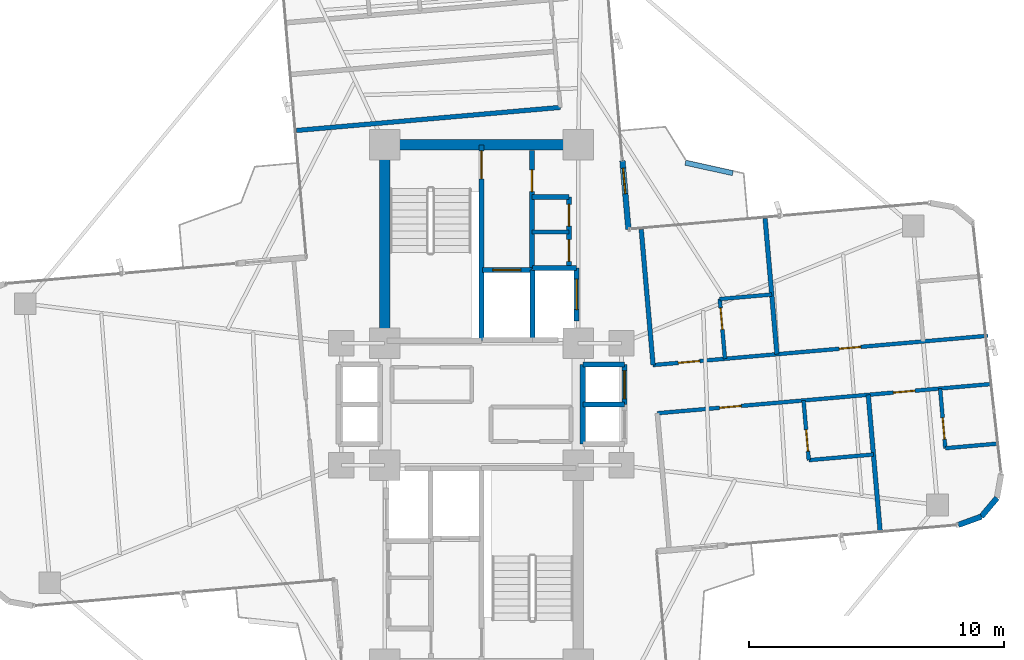
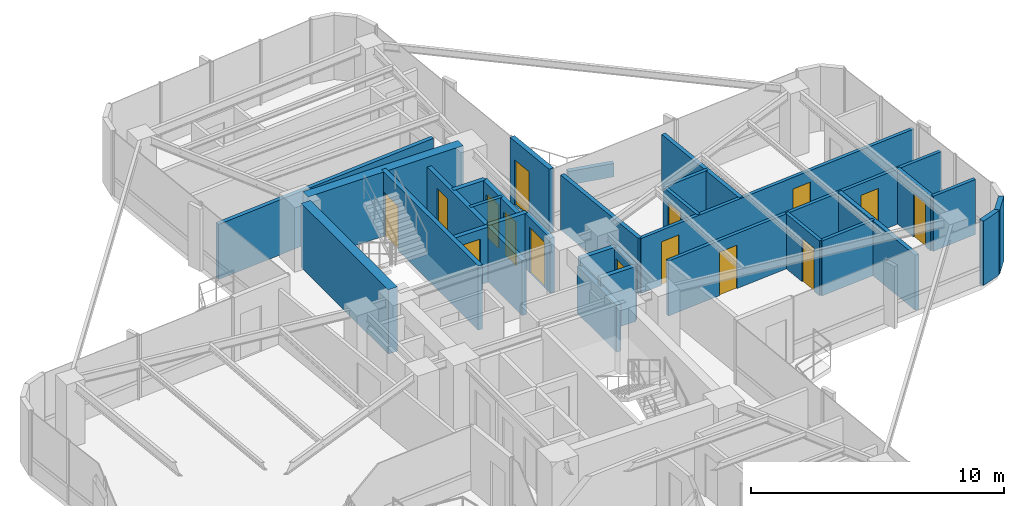
# One storey, part 22 of 24: 31 walls, 15 doors, 15 openings.
"""IFC4 building model written with IfcOpenShell, lengths in metres."""

from ifc_helpers import new_model, si_unit, direction, frame, frame_2d, origin, origin_2d, place, context, subcontext, project, spatial, rectangle, extrude, source, transform, mapped, material, layer, layer_set, type_object, element, fill, save


model = new_model("IFC4")

# Units and contexts
model_context = context("Model", 3, precision=1e-05, world=origin(), true_north=direction((0.0, 1.0)))
body_context = subcontext(model_context, "Body", "Model", "MODEL_VIEW")
ifc_project = project(units=[si_unit("LENGTHUNIT", "METRE"), si_unit("AREAUNIT", "SQUARE_METRE"), si_unit("VOLUMEUNIT", "CUBIC_METRE"), si_unit("PLANEANGLEUNIT", "RADIAN"), si_unit("MASSUNIT", "GRAM", prefix="KILO")], contexts=[model_context])

# Site, building, storey
site_placement = place(None, origin())
site = spatial("IfcSite", under=ifc_project, at=site_placement, CompositionType="ELEMENT")
building_placement = place(site_placement, origin())
building = spatial("IfcBuilding", under=site, at=building_placement, Name="Sahyath Konkavel Grand Hotel", CompositionType="ELEMENT")
storey_placement = place(building_placement, frame((0.0, 0.0, 164.0)))
storey = spatial("IfcBuildingStorey", under=building, at=storey_placement, Name="L45", CompositionType="ELEMENT", Elevation=164.0)

# Walls
ifc_material_1 = material(Name="Concrete C50/60", Category="concrete")
ifc_layer_1 = layer(ifc_material_1, 0.419921875)
ifc_layer_set_1 = layer_set([ifc_layer_1], Name="Concrete C50/60")
wall_type_1 = type_object("IfcWallType", Name="CWALL-420", PredefinedType="SHEAR", material=ifc_layer_set_1)
wall_1_placement = place(storey_placement, frame((-3.550048828125, 10.199951171875, 0.0), z_axis=(0.0, 0.0, 1.0), x_axis=(1.0, 0.0, 0.0)))
element("IfcWall", 1, at=wall_1_placement, inside=storey, type_object=wall_type_1, Name="L45 North Core Shear Wall N", PredefinedType="SHEAR", context=body_context, shape_type="SweptSolid", body=[
    extrude(rectangle(XDim=7.10009765625, YDim=0.419921875, at=frame_2d((3.550048828125, 0.0))), origin(), (0.0, 0.0, 1.0), 3.110107421875),
])
wall_2_placement = place(storey_placement, frame((-3.800048828125, 2.85009765625, 0.0), z_axis=(0.0, 0.0, 1.0), x_axis=(0.0, 1.0, 0.0)))
element("IfcWall", 2, at=wall_2_placement, inside=storey, type_object=wall_type_1, Name="L45 North Core Shear Wall W", PredefinedType="SHEAR", context=body_context, shape_type="SweptSolid", body=[
    extrude(rectangle(XDim=6.89990234375, YDim=0.419921875, at=frame_2d((3.449951171875, 0.0))), origin(), (0.0, 0.0, 1.0), 3.110107421875),
])
ifc_material_2 = material(Name="Warm Buff Sandstone Insulated Concrete C40/50", Category="masonry")
ifc_layer_2 = layer(ifc_material_2, 0.219970703125)
ifc_layer_set_2 = layer_set([ifc_layer_2], Name="Warm Buff Sandstone Insulated Concrete C40/50")
wall_type_2 = type_object("IfcWallType", Name="WLL-BALC-THRESH", PredefinedType="STANDARD", material=ifc_layer_set_2)
wall_3_placement = place(storey_placement, frame((18.73388671875, -4.735107421875, 0.0), z_axis=(0.0, 0.0, 1.0), x_axis=(0.939741306239, 0.34188635151, 0.0)))
element("IfcWall", 3, at=wall_3_placement, inside=storey, type_object=wall_type_2, Name="L45 Rounded Corner Sandstone Pier 1", PredefinedType="STANDARD", context=body_context, shape_type="SweptSolid", body=[
    extrude(rectangle(XDim=0.95751953125, YDim=0.219970703125, at=frame_2d((0.478759765625, 0.0))), origin(), (0.0, 0.0, 1.0), 3.110107421875),
])
wall_4_placement = place(storey_placement, frame((19.6337890625, -4.40771484375, 0.0), z_axis=(0.0, 0.0, 1.0), x_axis=(0.642863236823, 0.765980978054, 0.0)))
element("IfcWall", 4, at=wall_4_placement, inside=storey, type_object=wall_type_2, Name="L45 Rounded Corner Sandstone Pier 2", PredefinedType="STANDARD", context=body_context, shape_type="SweptSolid", body=[
    extrude(rectangle(XDim=0.957763671875, YDim=0.219970703125, at=frame_2d((0.47900390625, 0.0))), origin(), (0.0, 0.0, 1.0), 3.110107421875),
])

# Wall, opening, door
wall_5_placement = place(storey_placement, frame((5.7724609375, 6.87939453125, 0.0), z_axis=(0.0, 0.0, 1.0), x_axis=(-0.087168071984, 0.996193619346, 0.0)))
wall_5 = element("IfcWall", 5, at=wall_5_placement, inside=storey, type_object=wall_type_2, Name="L45 Winter-Garden Threshold Wall 8", PredefinedType="STANDARD", context=body_context, shape_type="SweptSolid", body=[
    extrude(rectangle(XDim=2.699951171875, YDim=0.219970703125, at=frame_2d((1.35009765625, 0.0))), origin(), (0.0, 0.0, 1.0), 3.110107421875),
])
opening_1_placement = place(wall_5_placement, frame((1.39990234375, 0.0, 0.0)))
opening_1 = element("IfcOpeningElement", 6, at=opening_1_placement, cuts=wall_5, Name="Opening D-TR1", PredefinedType="OPENING", context=body_context, shape_type="SweptSolid", body=[
    extrude(rectangle(XDim=1.0, YDim=2.199951171875, at=frame_2d((0.5, 1.10009765625))), frame((0.0, 0.1201171875, 0.0), z_axis=(0.0, -1.0, 0.0), x_axis=(1.0, 0.0, 0.0)), (0.0, 0.0, 1.0), 0.239990234375),
])
ifc_material_3 = material(Name="Anodised Bronze Aluminium & Low-E Glazing", Category="aluminium")
door_type_1 = type_object("IfcDoorType", Name="DR-TERRACE-1000", OperationType="NOTDEFINED", PredefinedType="DOOR", material=ifc_material_3)
shared_shape_1 = source(origin(), body_context, "Body", "SweptSolid", [
    extrude(rectangle(XDim=1.0, YDim=0.050048828125, at=origin_2d()), origin(), (0.0, 0.0, 1.0), 2.199951171875),
])
door_1_placement = place(opening_1_placement, frame((0.5, 0.0, 0.0)))
door_1 = element("IfcDoor", 7, at=door_1_placement, inside=storey, type_object=door_type_1, Name="L45 Winter-Garden Terrace Door 8", OperationType="SINGLE_SWING_LEFT", OverallHeight=2.199951171875, OverallWidth=1.0, PredefinedType="DOOR", context=body_context, shape_type="MappedRepresentation", body=[
    mapped(shared_shape_1, transform((0.0, 0.0, 0.0), scale=1.0)),
])
fill(opening_1, door_1)

ifc_material_4 = material(Name="Concrete C40/50", Category="concrete")
ifc_layer_3 = layer(ifc_material_4, 0.199951171875)
ifc_layer_set_3 = layer_set([ifc_layer_3], Name="Concrete C40/50")
wall_type_3 = type_object("IfcWallType", Name="WLL-CORE-200", PredefinedType="SOLIDWALL", material=ifc_layer_set_3)
wall_6_placement = place(storey_placement, frame((0.0, 2.5, 0.0), z_axis=(0.0, 0.0, 1.0), x_axis=(0.0, 1.0, 0.0)))
wall_6 = element("IfcWall", 8, at=wall_6_placement, inside=storey, type_object=wall_type_3, Name="L45 Stair ST-1 Shaft Wall E", PredefinedType="SOLIDWALL", context=body_context, shape_type="SweptSolid", body=[
    extrude(rectangle(XDim=7.679931640625, YDim=0.199951171875, at=frame_2d((3.83984375, 0.0))), origin(), (0.0, 0.0, 1.0), 3.110107421875),
])
opening_2_placement = place(wall_6_placement, frame((6.360107421875, 0.0, 0.0)))
opening_2 = element("IfcOpeningElement", 9, at=opening_2_placement, cuts=wall_6, Name="Opening D-F12B", PredefinedType="OPENING", context=body_context, shape_type="SweptSolid", body=[
    extrude(rectangle(XDim=1.10009765625, YDim=2.14990234375, at=frame_2d((0.550048828125, 1.074951171875))), frame((0.0, 0.10986328125, 0.0), z_axis=(0.0, -1.0, 0.0), x_axis=(1.0, 0.0, 0.0)), (0.0, 0.0, 1.0), 0.219970703125),
])
ifc_material_5 = material(Name="Steel E350 Smokeproof Fire Door", Category="steel")
door_type_2 = type_object("IfcDoorType", Name="DR-FD120-1100", OperationType="NOTDEFINED", PredefinedType="DOOR", material=ifc_material_5)
shared_shape_2 = source(origin(), body_context, "Body", "SweptSolid", [
    extrude(rectangle(XDim=1.10009765625, YDim=0.050048828125, at=origin_2d()), origin(), (0.0, 0.0, 1.0), 2.14990234375),
])
door_2_placement = place(opening_2_placement, frame((0.550048828125, 0.0, 0.0)))
door_2 = element("IfcDoor", 10, at=door_2_placement, inside=storey, type_object=door_type_2, Name="L45 Stair ST-1 Fire Door", OperationType="SINGLE_SWING_LEFT", OverallHeight=2.14990234375, OverallWidth=1.10009765625, PredefinedType="DOOR", context=body_context, shape_type="MappedRepresentation", body=[
    mapped(shared_shape_2, transform((0.0, 0.0, 0.0), scale=1.0)),
])
fill(opening_2, door_2)

wall_7_placement = place(storey_placement, frame((1.97998046875, 5.320068359375, 0.0), z_axis=(0.0, 0.0, 1.0), x_axis=(0.0, 1.0, 0.0)))
wall_7 = element("IfcWall", 11, at=wall_7_placement, inside=storey, type_object=wall_type_3, Name="L45 North Firefighting Lobby Wall E", PredefinedType="SOLIDWALL", context=body_context, shape_type="SweptSolid", body=[
    extrude(rectangle(XDim=4.659912109375, YDim=0.199951171875, at=frame_2d((2.330078125, 0.0))), origin(), (0.0, 0.0, 1.0), 2.659912109375),
])
opening_3_placement = place(wall_7_placement, frame((3.0400390625, 0.0, 0.0)))
opening_3 = element("IfcOpeningElement", 12, at=opening_3_placement, cuts=wall_7, Name="Opening D-F12D", PredefinedType="OPENING", context=body_context, shape_type="SweptSolid", body=[
    extrude(rectangle(XDim=0.85009765625, YDim=2.10009765625, at=frame_2d((0.425048828125, 1.050048828125))), frame((0.0, 0.10986328125, 0.0), z_axis=(0.0, -1.0, 0.0), x_axis=(1.0, 0.0, 0.0)), (0.0, 0.0, 1.0), 0.219970703125),
])
ifc_material_6 = material(Name="Steel E350 Core Fire Door", Category="steel")
door_type_3 = type_object("IfcDoorType", Name="DR-FD120-850", OperationType="NOTDEFINED", PredefinedType="DOOR", material=ifc_material_6)
shared_shape_3 = source(origin(), body_context, "Body", "SweptSolid", [
    extrude(rectangle(XDim=0.85009765625, YDim=0.050048828125, at=origin_2d()), origin(), (0.0, 0.0, 1.0), 2.10009765625),
])
door_3_placement = place(opening_3_placement, frame((0.425048828125, 0.0, 0.0)))
door_3 = element("IfcDoor", 13, at=door_3_placement, inside=storey, type_object=door_type_3, Name="L45 North Firefighting Lobby Door", OperationType="SINGLE_SWING_LEFT", OverallHeight=2.10009765625, OverallWidth=0.85009765625, PredefinedType="DOOR", context=body_context, shape_type="MappedRepresentation", body=[
    mapped(shared_shape_3, transform((0.0, 0.0, 0.0), scale=1.0)),
])
fill(opening_3, door_3)

# Wall
wall_8_placement = place(storey_placement, frame((2.0, 2.5, 0.0), z_axis=(0.0, 0.0, 1.0), x_axis=(0.0, 1.0, 0.0)))
element("IfcWall", 14, at=wall_8_placement, inside=storey, type_object=wall_type_3, Name="L45 Partition SH-FFL1-E", PredefinedType="SOLIDWALL", context=body_context, shape_type="SweptSolid", body=[
    extrude(rectangle(XDim=2.780029296875, YDim=0.199951171875, at=frame_2d((1.39013671875, 0.0))), origin(), (0.0, 0.0, 1.0), 2.659912109375),
])

# Wall, opening, door
wall_9_placement = place(storey_placement, frame((0.050048828125, 5.280029296875, 0.0), z_axis=(0.0, 0.0, 1.0), x_axis=(1.0, 0.0, 0.0)))
wall_9 = element("IfcWall", 15, at=wall_9_placement, inside=storey, type_object=wall_type_3, Name="L45 Partition SH-FFL1-N", PredefinedType="SOLIDWALL", context=body_context, shape_type="SweptSolid", body=[
    extrude(rectangle(XDim=1.929931640625, YDim=0.199951171875, at=frame_2d((0.96484375, 0.0))), origin(), (0.0, 0.0, 1.0), 2.659912109375),
])
opening_4_placement = place(wall_9_placement, frame((0.39990234375, 0.0, 0.0)))
opening_4 = element("IfcOpeningElement", 16, at=opening_4_placement, cuts=wall_9, Name="Opening LD-11", PredefinedType="OPENING", context=body_context, shape_type="SweptSolid", body=[
    extrude(rectangle(XDim=1.10009765625, YDim=2.199951171875, at=frame_2d((0.550048828125, 1.10009765625))), frame((0.0, 0.10986328125, 0.0), z_axis=(0.0, -1.0, 0.0), x_axis=(1.0, 0.0, 0.0)), (0.0, 0.0, 1.0), 0.219970703125),
])
ifc_material_7 = material(Name="Bronze Lift Landing Door 1100")
door_type_4 = type_object("IfcDoorType", Name="DR-LIFT-1100", OperationType="DOUBLE_DOOR_SLIDING", PredefinedType="DOOR", material=ifc_material_7)
shared_shape_4 = source(origin(), body_context, "Body", "SweptSolid", [
    extrude(rectangle(XDim=1.10009765625, YDim=0.050048828125, at=origin_2d()), origin(), (0.0, 0.0, 1.0), 2.199951171875),
])
door_4_placement = place(opening_4_placement, frame((0.550048828125, 0.0, 0.0)))
door_4 = element("IfcDoor", 17, at=door_4_placement, inside=storey, type_object=door_type_4, Name="L45 Lift FFL-1 Landing Door", OperationType="DOUBLE_DOOR_SLIDING", OverallHeight=2.199951171875, OverallWidth=1.10009765625, PredefinedType="DOOR", context=body_context, shape_type="MappedRepresentation", body=[
    mapped(shared_shape_4, transform((0.0, 0.0, 0.0), scale=1.0)),
])
fill(opening_4, door_4)

# Wall
wall_10_placement = place(storey_placement, frame((2.0, 5.360107421875, 0.0), z_axis=(0.0, 0.0, 1.0), x_axis=(1.0, 0.0, 0.0)))
element("IfcWall", 18, at=wall_10_placement, inside=storey, type_object=wall_type_3, Name="L45 Partition SH-SVL1-N", PredefinedType="SOLIDWALL", context=body_context, shape_type="SweptSolid", body=[
    extrude(rectangle(XDim=1.739990234375, YDim=0.199951171875, at=frame_2d((0.8701171875, 0.0))), origin(), (0.0, 0.0, 1.0), 2.659912109375),
])

# Wall, opening, door
wall_11_placement = place(storey_placement, frame((3.739990234375, 3.280029296875, 0.0), z_axis=(0.0, 0.0, 1.0), x_axis=(0.0, 1.0, 0.0)))
wall_11 = element("IfcWall", 19, at=wall_11_placement, inside=storey, type_object=wall_type_3, Name="L45 Partition SH-SVL1-E", PredefinedType="SOLIDWALL", context=body_context, shape_type="SweptSolid", body=[
    extrude(rectangle(XDim=2.080078125, YDim=0.199951171875, at=frame_2d((1.0400390625, 0.0))), origin(), (0.0, 0.0, 1.0), 2.659912109375),
])
opening_5_placement = place(wall_11_placement, frame((0.43994140625, 0.0, 0.0)))
opening_5 = element("IfcOpeningElement", 20, at=opening_5_placement, cuts=wall_11, Name="Opening LD-12", PredefinedType="OPENING", context=body_context, shape_type="SweptSolid", body=[
    extrude(rectangle(XDim=1.199951171875, YDim=2.199951171875, at=frame_2d((0.60009765625, 1.10009765625))), frame((0.0, 0.10986328125, 0.0), z_axis=(0.0, -1.0, 0.0), x_axis=(1.0, 0.0, 0.0)), (0.0, 0.0, 1.0), 0.219970703125),
])
ifc_material_8 = material(Name="Stainless Steel Lift Landing Door 1200", Category="steel")
door_type_5 = type_object("IfcDoorType", Name="DR-LIFT-1200", OperationType="DOUBLE_DOOR_SLIDING", PredefinedType="DOOR", material=ifc_material_8)
shared_shape_5 = source(origin(), body_context, "Body", "SweptSolid", [
    extrude(rectangle(XDim=1.199951171875, YDim=0.050048828125, at=origin_2d()), origin(), (0.0, 0.0, 1.0), 2.199951171875),
])
door_5_placement = place(opening_5_placement, frame((0.60009765625, 0.0, 0.0)))
door_5 = element("IfcDoor", 21, at=door_5_placement, inside=storey, type_object=door_type_5, Name="L45 Service Lift SVL-1 Landing Door", OperationType="DOUBLE_DOOR_SLIDING", OverallHeight=2.199951171875, OverallWidth=1.199951171875, PredefinedType="DOOR", context=body_context, shape_type="MappedRepresentation", body=[
    mapped(shared_shape_5, transform((0.0, 0.0, 0.0), scale=1.0)),
])
fill(opening_5, door_5)

# Walls
wall_12_placement = place(storey_placement, frame((3.97998046875, -1.56005859375, 0.0), z_axis=(0.0, 0.0, 1.0), x_axis=(0.0, 1.0, 0.0)))
element("IfcWall", 22, at=wall_12_placement, inside=storey, type_object=wall_type_3, Name="L45 Partition SH-PL56-W", PredefinedType="SOLIDWALL", context=body_context, shape_type="SweptSolid", body=[
    extrude(rectangle(XDim=3.1201171875, YDim=0.199951171875, at=frame_2d((1.56005859375, 0.0))), origin(), (0.0, 0.0, 1.0), 2.280029296875),
])
for number, where, z_axis, x_axis, name in (
    (23, (3.97998046875, 1.56005859375, 0.0), (0.0, 0.0, 1.0), (1.0, 0.0, 0.0), "L45 Partition SH-PL56-N"),
    (24, (3.97998046875, 0.0, 0.0), (0.0, 0.0, 1.0), (1.0, 0.0, 0.0), "L45 Partition SH-PL56-M"),
):
    element("IfcWall", number, at=place(storey_placement, frame(where, z_axis=z_axis, x_axis=x_axis)), inside=storey, type_object=wall_type_3, Name=name, PredefinedType="SOLIDWALL", context=body_context, shape_type="SweptSolid", body=[
        extrude(rectangle(XDim=1.64013671875, YDim=0.199951171875, at=frame_2d((0.820068359375, 0.0))), origin(), (0.0, 0.0, 1.0), 2.659912109375),
    ])

# Wall, opening, door
wall_13_placement = place(storey_placement, frame((5.6201171875, 0.0, 0.0), z_axis=(0.0, 0.0, 1.0), x_axis=(0.0, 1.0, 0.0)))
wall_13 = element("IfcWall", 25, at=wall_13_placement, inside=storey, type_object=wall_type_3, Name="L45 Partition SH-PL5-E", PredefinedType="SOLIDWALL", context=body_context, shape_type="SweptSolid", body=[
    extrude(rectangle(XDim=1.56005859375, YDim=0.199951171875, at=frame_2d((0.780029296875, 0.0))), origin(), (0.0, 0.0, 1.0), 2.659912109375),
])
opening_6_placement = place(wall_13_placement, frame((0.219970703125, 0.0, 0.0)))
opening_6 = element("IfcOpeningElement", 26, at=opening_6_placement, cuts=wall_13, Name="Opening LD-11", PredefinedType="OPENING", context=body_context, shape_type="SweptSolid", body=[
    extrude(rectangle(XDim=1.10009765625, YDim=2.199951171875, at=frame_2d((0.550048828125, 1.10009765625))), frame((0.0, 0.10986328125, 0.0), z_axis=(0.0, -1.0, 0.0), x_axis=(1.0, 0.0, 0.0)), (0.0, 0.0, 1.0), 0.219970703125),
])
door_6_placement = place(opening_6_placement, frame((0.550048828125, 0.0, 0.0)))
door_6 = element("IfcDoor", 27, at=door_6_placement, inside=storey, type_object=door_type_4, Name="L45 High-Rise Lift PL-5 Landing Door", OperationType="DOUBLE_DOOR_SLIDING", OverallHeight=2.199951171875, OverallWidth=1.10009765625, PredefinedType="DOOR", context=body_context, shape_type="MappedRepresentation", body=[
    mapped(shared_shape_4, transform((0.0, 0.0, 0.0), scale=1.0)),
])
fill(opening_6, door_6)

# Wall, openings, doors
wall_14_placement = place(storey_placement, frame((3.43994140625, 5.3798828125, 0.0), z_axis=(0.0, 0.0, 1.0), x_axis=(0.0, 1.0, 0.0)))
wall_14 = element("IfcWall", 28, at=wall_14_placement, inside=storey, type_object=wall_type_3, Name="L45 Reclaimed North Core Wall E", PredefinedType="SOLIDWALL", context=body_context, shape_type="SweptSolid", body=[
    extrude(rectangle(XDim=2.77001953125, YDim=0.199951171875, at=frame_2d((1.385009765625, 0.0))), origin(), (0.0, 0.0, 1.0), 2.659912109375),
])
opening_7_placement = place(wall_14_placement, frame((0.239990234375, 0.0, 0.0)))
opening_7 = element("IfcOpeningElement", 29, at=opening_7_placement, cuts=wall_14, Name="Opening D-F06D", PredefinedType="OPENING", context=body_context, shape_type="SweptSolid", body=[
    extrude(rectangle(XDim=0.85009765625, YDim=2.10009765625, at=frame_2d((0.425048828125, 1.050048828125))), frame((0.0, 0.10986328125, 0.0), z_axis=(0.0, -1.0, 0.0), x_axis=(1.0, 0.0, 0.0)), (0.0, 0.0, 1.0), 0.219970703125),
])
opening_8_placement = place(wall_14_placement, frame((1.6201171875, 0.0, 0.0)))
opening_8 = element("IfcOpeningElement", 30, at=opening_8_placement, cuts=wall_14, Name="Opening D-F06D", PredefinedType="OPENING", context=body_context, shape_type="SweptSolid", body=[
    extrude(rectangle(XDim=0.85009765625, YDim=2.10009765625, at=frame_2d((0.425048828125, 1.050048828125))), frame((0.0, 0.10986328125, 0.0), z_axis=(0.0, -1.0, 0.0), x_axis=(1.0, 0.0, 0.0)), (0.0, 0.0, 1.0), 0.219970703125),
])
ifc_material_9 = material(Name="Fire-Rated Shaft Access Door")
door_type_6 = type_object("IfcDoorType", Name="DR-FD60-850", OperationType="NOTDEFINED", PredefinedType="DOOR", material=ifc_material_9)
door_7_placement = place(opening_7_placement, frame((0.425048828125, 0.0, 0.0)))
door_7 = element("IfcDoor", 31, at=door_7_placement, inside=storey, type_object=door_type_6, Name="L45 Door NC-REC1-D", OperationType="SINGLE_SWING_LEFT", OverallHeight=2.10009765625, OverallWidth=0.85009765625, PredefinedType="DOOR", context=body_context, shape_type="MappedRepresentation", body=[
    mapped(shared_shape_3, transform((0.0, 0.0, 0.0), scale=1.0)),
])
fill(opening_7, door_7)
door_8_placement = place(opening_8_placement, frame((0.425048828125, 0.0, 0.0)))
door_8 = element("IfcDoor", 32, at=door_8_placement, inside=storey, type_object=door_type_6, Name="L45 Door NC-REC2-D", OperationType="SINGLE_SWING_RIGHT", OverallHeight=2.10009765625, OverallWidth=0.85009765625, PredefinedType="DOOR", context=body_context, shape_type="MappedRepresentation", body=[
    mapped(shared_shape_3, transform((0.0, 0.0, 0.0), scale=1.0)),
])
fill(opening_8, door_8)

# Walls
wall_15_placement = place(storey_placement, frame((1.97998046875, 8.14990234375, 0.0), z_axis=(0.0, 0.0, 1.0), x_axis=(1.0, 0.0, 0.0)))
element("IfcWall", 33, at=wall_15_placement, inside=storey, type_object=wall_type_3, Name="L45 Partition NC-REC-N", PredefinedType="SOLIDWALL", context=body_context, shape_type="SweptSolid", body=[
    extrude(rectangle(XDim=1.4599609375, YDim=0.199951171875, at=frame_2d((0.72998046875, 0.0))), origin(), (0.0, 0.0, 1.0), 2.659912109375),
])
ifc_material_10 = material(Name="Twin-Stud Acoustic Gypsum Plasterboard Partition")
ifc_layer_4 = layer(ifc_material_10, 0.179931640625)
ifc_layer_set_4 = layer_set([ifc_layer_4], Name="Twin-Stud Acoustic Gypsum Plasterboard Partition")
wall_type_4 = type_object("IfcWallType", Name="WLL-DEMISE-180", PredefinedType="PARTITIONING", material=ifc_layer_set_4)
for number, where, z_axis, x_axis, name in (
    (34, (6.7412109375, 1.54345703125, 0.0), (0.0, 0.0, 1.0), (-0.087161289348, 0.996194212812, 0.0), "L45 Partition E-INL"),
    (35, (11.606689453125, 1.968994140625, 0.0), (0.0, 0.0, 1.0), (-0.087161289348, 0.996194212812, 0.0), "L45 Partition E-E1L-DEM"),
    (36, (15.191162109375, 0.37548828125, 0.0), (0.0, 0.0, 1.0), (0.087161289348, -0.996194212812, 0.0), "L45 Partition E-E1R-DEM"),
):
    element("IfcWall", number, at=place(storey_placement, frame(where, z_axis=z_axis, x_axis=x_axis)), inside=storey, type_object=wall_type_4, Name=name, PredefinedType="PARTITIONING", context=body_context, shape_type="SweptSolid", body=[
        extrude(rectangle(XDim=5.349853515625, YDim=0.179931640625, at=frame_2d((2.6748046875, 0.0))), origin(), (0.0, 0.0, 1.0), 2.659912109375),
    ])
wall_16_placement = place(storey_placement, frame((3.09521484375, 11.6640625, 0.0), z_axis=(0.0, 0.0, 1.0), x_axis=(-0.996196061386, -0.087140158824, 0.0)))
element("IfcWall", 37, at=wall_16_placement, inside=storey, type_object=wall_type_4, Name="L45 Partition N-G6I", PredefinedType="PARTITIONING", context=body_context, shape_type="SweptSolid", body=[
    extrude(rectangle(XDim=10.39990234375, YDim=0.179931640625, at=frame_2d((5.199951171875, 0.0))), origin(), (0.0, 0.0, 1.0), 2.659912109375),
])
ifc_material_11 = material(Name="Fire-Rated Gypsum Plasterboard Partition")
ifc_layer_5 = layer(ifc_material_11, 0.14990234375)
ifc_layer_set_5 = layer_set([ifc_layer_5], Name="Fire-Rated Gypsum Plasterboard Partition")
wall_type_5 = type_object("IfcWallType", Name="WLL-PART-150", PredefinedType="PARTITIONING", material=ifc_layer_set_5)
wall_17_placement = place(storey_placement, frame((1.97998046875, 6.77001953125, 0.0), z_axis=(0.0, 0.0, 1.0), x_axis=(1.0, 0.0, 0.0)))
element("IfcWall", 38, at=wall_17_placement, inside=storey, type_object=wall_type_5, Name="L45 Partition NC-REC-M1", PredefinedType="PARTITIONING", context=body_context, shape_type="SweptSolid", body=[
    extrude(rectangle(XDim=1.4599609375, YDim=0.14990234375, at=frame_2d((0.72998046875, 0.0))), origin(), (0.0, 0.0, 1.0), 2.659912109375),
])

# Wall, openings, doors
wall_18_placement = place(storey_placement, frame((6.7412109375, 1.54345703125, 0.0), z_axis=(0.0, 0.0, 1.0), x_axis=(0.996195062465, 0.087151577845, 0.0)))
wall_18 = element("IfcWall", 39, at=wall_18_placement, inside=storey, type_object=wall_type_5, Name="L45 Partition E-CL", PredefinedType="PARTITIONING", context=body_context, shape_type="SweptSolid", body=[
    extrude(rectangle(XDim=13.199951171875, YDim=0.14990234375, at=frame_2d((6.60009765625, 0.0))), origin(), (0.0, 0.0, 1.0), 2.659912109375),
])
opening_9_placement = place(wall_18_placement, frame((0.991943359375, 0.0, 0.0)))
opening_9 = element("IfcOpeningElement", 40, at=opening_9_placement, cuts=wall_18, Name="Opening D-F06D", PredefinedType="OPENING", context=body_context, shape_type="SweptSolid", body=[
    extrude(rectangle(XDim=0.85009765625, YDim=2.10009765625, at=frame_2d((0.425048828125, 1.050048828125))), frame((0.0, 0.0849609375, 0.0), z_axis=(0.0, -1.0, 0.0), x_axis=(1.0, 0.0, 0.0)), (0.0, 0.0, 1.0), 0.169921875),
])
opening_10_placement = place(wall_18_placement, frame((7.342041015625, 0.0, 0.0)))
opening_10 = element("IfcOpeningElement", 41, at=opening_10_placement, cuts=wall_18, Name="Opening D-F06D", PredefinedType="OPENING", context=body_context, shape_type="SweptSolid", body=[
    extrude(rectangle(XDim=0.85009765625, YDim=2.10009765625, at=frame_2d((0.425048828125, 1.050048828125))), frame((0.0, 0.0849609375, 0.0), z_axis=(0.0, -1.0, 0.0), x_axis=(1.0, 0.0, 0.0)), (0.0, 0.0, 1.0), 0.169921875),
])
door_9_placement = place(opening_9_placement, frame((0.425048828125, 0.0, 0.0)))
door_9 = element("IfcDoor", 42, at=door_9_placement, inside=storey, type_object=door_type_6, Name="L45 Door E-E1L-ED", OperationType="SINGLE_SWING_RIGHT", OverallHeight=2.10009765625, OverallWidth=0.85009765625, PredefinedType="DOOR", context=body_context, shape_type="MappedRepresentation", body=[
    mapped(shared_shape_3, transform((0.0, 0.0, 0.0), scale=1.0)),
])
fill(opening_9, door_9)
door_10_placement = place(opening_10_placement, frame((0.425048828125, 0.0, 0.0)))
door_10 = element("IfcDoor", 43, at=door_10_placement, inside=storey, type_object=door_type_6, Name="L45 Door E-E2L-ED", OperationType="SINGLE_SWING_RIGHT", OverallHeight=2.10009765625, OverallWidth=0.85009765625, PredefinedType="DOOR", context=body_context, shape_type="MappedRepresentation", body=[
    mapped(shared_shape_3, transform((0.0, 0.0, 0.0), scale=1.0)),
])
fill(opening_10, door_10)

wall_19_placement = place(storey_placement, frame((6.90673828125, -0.349365234375, 0.0), z_axis=(0.0, 0.0, 1.0), x_axis=(0.996195062465, 0.087151577845, 0.0)))
wall_19 = element("IfcWall", 44, at=wall_19_placement, inside=storey, type_object=wall_type_5, Name="L45 Partition E-CR", PredefinedType="PARTITIONING", context=body_context, shape_type="SweptSolid", body=[
    extrude(rectangle(XDim=13.199951171875, YDim=0.14990234375, at=frame_2d((6.60009765625, 0.0))), origin(), (0.0, 0.0, 1.0), 2.659912109375),
])
opening_11_placement = place(wall_19_placement, frame((2.4580078125, 0.0, 0.0)))
opening_11 = element("IfcOpeningElement", 45, at=opening_11_placement, cuts=wall_19, Name="Opening D-F06D", PredefinedType="OPENING", context=body_context, shape_type="SweptSolid", body=[
    extrude(rectangle(XDim=0.85009765625, YDim=2.10009765625, at=frame_2d((0.425048828125, 1.050048828125))), frame((0.0, 0.0849609375, 0.0), z_axis=(0.0, -1.0, 0.0), x_axis=(1.0, 0.0, 0.0)), (0.0, 0.0, 1.0), 0.169921875),
])
opening_12_placement = place(wall_19_placement, frame((9.30810546875, 0.0, 0.0)))
opening_12 = element("IfcOpeningElement", 46, at=opening_12_placement, cuts=wall_19, Name="Opening D-F06D", PredefinedType="OPENING", context=body_context, shape_type="SweptSolid", body=[
    extrude(rectangle(XDim=0.85009765625, YDim=2.10009765625, at=frame_2d((0.425048828125, 1.050048828125))), frame((0.0, 0.0849609375, 0.0), z_axis=(0.0, -1.0, 0.0), x_axis=(1.0, 0.0, 0.0)), (0.0, 0.0, 1.0), 0.169921875),
])
door_11_placement = place(opening_11_placement, frame((0.425048828125, 0.0, 0.0)))
door_11 = element("IfcDoor", 47, at=door_11_placement, inside=storey, type_object=door_type_6, Name="L45 Door E-E1R-ED", OperationType="SINGLE_SWING_RIGHT", OverallHeight=2.10009765625, OverallWidth=0.85009765625, PredefinedType="DOOR", context=body_context, shape_type="MappedRepresentation", body=[
    mapped(shared_shape_3, transform((0.0, 0.0, 0.0), scale=1.0)),
])
fill(opening_11, door_11)
door_12_placement = place(opening_12_placement, frame((0.425048828125, 0.0, 0.0)))
door_12 = element("IfcDoor", 48, at=door_12_placement, inside=storey, type_object=door_type_6, Name="L45 Door E-E2R-ED", OperationType="SINGLE_SWING_RIGHT", OverallHeight=2.10009765625, OverallWidth=0.85009765625, PredefinedType="DOOR", context=body_context, shape_type="MappedRepresentation", body=[
    mapped(shared_shape_3, transform((0.0, 0.0, 0.0), scale=1.0)),
])
fill(opening_12, door_12)

# Wall, opening, door
wall_20_placement = place(storey_placement, frame((9.564453125, 1.790283203125, 0.0), z_axis=(0.0, 0.0, 1.0), x_axis=(-0.087215835732, 0.996189438811, 0.0)))
wall_20 = element("IfcWall", 49, at=wall_20_placement, inside=storey, type_object=wall_type_5, Name="L45 Partition E-E1L-BS", PredefinedType="PARTITIONING", context=body_context, shape_type="SweptSolid", body=[
    extrude(rectangle(XDim=2.354248046875, YDim=0.14990234375, at=frame_2d((1.17724609375, 0.0))), origin(), (0.0, 0.0, 1.0), 2.659912109375),
])
opening_13_placement = place(wall_20_placement, frame((1.154052734375, 0.0, 0.0)))
opening_13 = element("IfcOpeningElement", 50, at=opening_13_placement, cuts=wall_20, Name="Opening D-BT85", PredefinedType="OPENING", context=body_context, shape_type="SweptSolid", body=[
    extrude(rectangle(XDim=0.85009765625, YDim=2.10009765625, at=frame_2d((0.425048828125, 1.050048828125))), frame((0.0, 0.0849609375, 0.0), z_axis=(0.0, -1.0, 0.0), x_axis=(1.0, 0.0, 0.0)), (0.0, 0.0, 1.0), 0.169921875),
])
ifc_material_12 = material(Name="Moisture-Resistant Teak Bathroom Door")
door_type_7 = type_object("IfcDoorType", Name="DR-BATH-850", OperationType="NOTDEFINED", PredefinedType="DOOR", material=ifc_material_12)
door_13_placement = place(opening_13_placement, frame((0.425048828125, 0.0, 0.0)))
door_13 = element("IfcDoor", 51, at=door_13_placement, inside=storey, type_object=door_type_7, Name="L45 Door E-E1L-BD", OperationType="SINGLE_SWING_LEFT", OverallHeight=2.10009765625, OverallWidth=0.85009765625, PredefinedType="DOOR", context=body_context, shape_type="MappedRepresentation", body=[
    mapped(shared_shape_3, transform((0.0, 0.0, 0.0), scale=1.0)),
])
fill(opening_13, door_13)

# Wall
wall_21_placement = place(storey_placement, frame((9.359130859375, 4.135498046875, 0.0), z_axis=(0.0, 0.0, 1.0), x_axis=(0.99619307114, 0.087174336889, 0.0)))
element("IfcWall", 52, at=wall_21_placement, inside=storey, type_object=wall_type_5, Name="L45 Partition E-E1L-BF", PredefinedType="PARTITIONING", context=body_context, shape_type="SweptSolid", body=[
    extrude(rectangle(XDim=2.050048828125, YDim=0.14990234375, at=frame_2d((1.02490234375, 0.0))), origin(), (0.0, 0.0, 1.0), 2.659912109375),
])

# Wall, opening, door
wall_22_placement = place(storey_placement, frame((12.65087890625, 0.1533203125, 0.0), z_axis=(0.0, 0.0, 1.0), x_axis=(0.08711291826, -0.996198443821, 0.0)))
wall_22 = element("IfcWall", 53, at=wall_22_placement, inside=storey, type_object=wall_type_5, Name="L45 Partition E-E1R-BS", PredefinedType="PARTITIONING", context=body_context, shape_type="SweptSolid", body=[
    extrude(rectangle(XDim=2.354248046875, YDim=0.14990234375, at=frame_2d((1.17724609375, 0.0))), origin(), (0.0, 0.0, 1.0), 2.659912109375),
])
opening_14_placement = place(wall_22_placement, frame((1.154052734375, 0.0, 0.0)))
opening_14 = element("IfcOpeningElement", 54, at=opening_14_placement, cuts=wall_22, Name="Opening D-BT85", PredefinedType="OPENING", context=body_context, shape_type="SweptSolid", body=[
    extrude(rectangle(XDim=0.85009765625, YDim=2.10009765625, at=frame_2d((0.425048828125, 1.050048828125))), frame((0.0, 0.0849609375, 0.0), z_axis=(0.0, -1.0, 0.0), x_axis=(1.0, 0.0, 0.0)), (0.0, 0.0, 1.0), 0.169921875),
])
door_14_placement = place(opening_14_placement, frame((0.425048828125, 0.0, 0.0)))
door_14 = element("IfcDoor", 55, at=door_14_placement, inside=storey, type_object=door_type_7, Name="L45 Door E-E1R-BD", OperationType="SINGLE_SWING_LEFT", OverallHeight=2.10009765625, OverallWidth=0.85009765625, PredefinedType="DOOR", context=body_context, shape_type="MappedRepresentation", body=[
    mapped(shared_shape_3, transform((0.0, 0.0, 0.0), scale=1.0)),
])
fill(opening_14, door_14)

# Wall
wall_23_placement = place(storey_placement, frame((12.85595703125, -2.19189453125, 0.0), z_axis=(0.0, 0.0, 1.0), x_axis=(0.996189039596, 0.08722039549, 0.0)))
element("IfcWall", 56, at=wall_23_placement, inside=storey, type_object=wall_type_5, Name="L45 Partition E-E1R-BF", PredefinedType="PARTITIONING", context=body_context, shape_type="SweptSolid", body=[
    extrude(rectangle(XDim=2.550048828125, YDim=0.14990234375, at=frame_2d((1.27490234375, 0.0))), origin(), (0.0, 0.0, 1.0), 2.659912109375),
])

# Wall, opening, door
wall_24_placement = place(storey_placement, frame((18.014404296875, 0.622314453125, 0.0), z_axis=(0.0, 0.0, 1.0), x_axis=(0.087121918963, -0.996197656711, 0.0)))
wall_24 = element("IfcWall", 57, at=wall_24_placement, inside=storey, type_object=wall_type_5, Name="L45 Partition E-E2R-BS", PredefinedType="PARTITIONING", context=body_context, shape_type="SweptSolid", body=[
    extrude(rectangle(XDim=2.35400390625, YDim=0.14990234375, at=frame_2d((1.177001953125, 0.0))), origin(), (0.0, 0.0, 1.0), 2.659912109375),
])
opening_15_placement = place(wall_24_placement, frame((1.154052734375, 0.0, 0.0)))
opening_15 = element("IfcOpeningElement", 58, at=opening_15_placement, cuts=wall_24, Name="Opening D-BT85", PredefinedType="OPENING", context=body_context, shape_type="SweptSolid", body=[
    extrude(rectangle(XDim=0.85009765625, YDim=2.10009765625, at=frame_2d((0.425048828125, 1.050048828125))), frame((0.0, 0.0849609375, 0.0), z_axis=(0.0, -1.0, 0.0), x_axis=(1.0, 0.0, 0.0)), (0.0, 0.0, 1.0), 0.169921875),
])
door_15_placement = place(opening_15_placement, frame((0.425048828125, 0.0, 0.0)))
door_15 = element("IfcDoor", 59, at=door_15_placement, inside=storey, type_object=door_type_7, Name="L45 Door E-E2R-BD", OperationType="SINGLE_SWING_LEFT", OverallHeight=2.10009765625, OverallWidth=0.85009765625, PredefinedType="DOOR", context=body_context, shape_type="MappedRepresentation", body=[
    mapped(shared_shape_3, transform((0.0, 0.0, 0.0), scale=1.0)),
])
fill(opening_15, door_15)

# Walls
wall_25_placement = place(storey_placement, frame((18.219482421875, -1.72265625, 0.0), z_axis=(0.0, 0.0, 1.0), x_axis=(0.99619307114, 0.087174336889, 0.0)))
element("IfcWall", 60, at=wall_25_placement, inside=storey, type_object=wall_type_5, Name="L45 Partition E-E2R-BF", PredefinedType="PARTITIONING", context=body_context, shape_type="SweptSolid", body=[
    extrude(rectangle(XDim=2.050048828125, YDim=0.14990234375, at=frame_2d((1.02490234375, 0.0))), origin(), (0.0, 0.0, 1.0), 2.659912109375),
])
ifc_material_13 = material(Name="Warm Buff Sandstone Planter Wall", Category="masonry")
ifc_layer_6 = layer(ifc_material_13, 0.199951171875)
ifc_layer_set_6 = layer_set([ifc_layer_6], Name="Warm Buff Sandstone Planter Wall")
wall_type_6 = type_object("IfcWallType", Name="WLL-PLANTER-200", PredefinedType="PARAPET", material=ifc_layer_set_6)
wall_26_placement = place(storey_placement, frame((9.87060546875, 9.079833984375, 0.0), z_axis=(0.0, 0.0, 1.0), x_axis=(-0.976298488261, 0.216428421929, 0.0)))
element("IfcWall", 61, at=wall_26_placement, inside=storey, type_object=wall_type_6, Name="L45 Sky-Garden Stone Planter PLANTER NE", PredefinedType="PARAPET", context=body_context, shape_type="SweptSolid", body=[
    extrude(rectangle(XDim=1.9052734375, YDim=0.199951171875, at=frame_2d((0.95263671875, 0.0))), origin(), (0.0, 0.0, 1.0), 0.64990234375),
])

save(model, "model.ifc")
